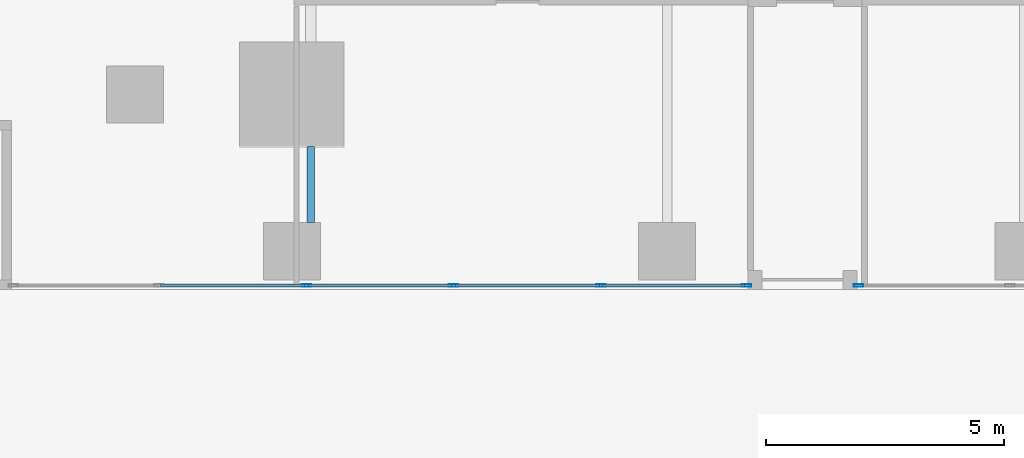
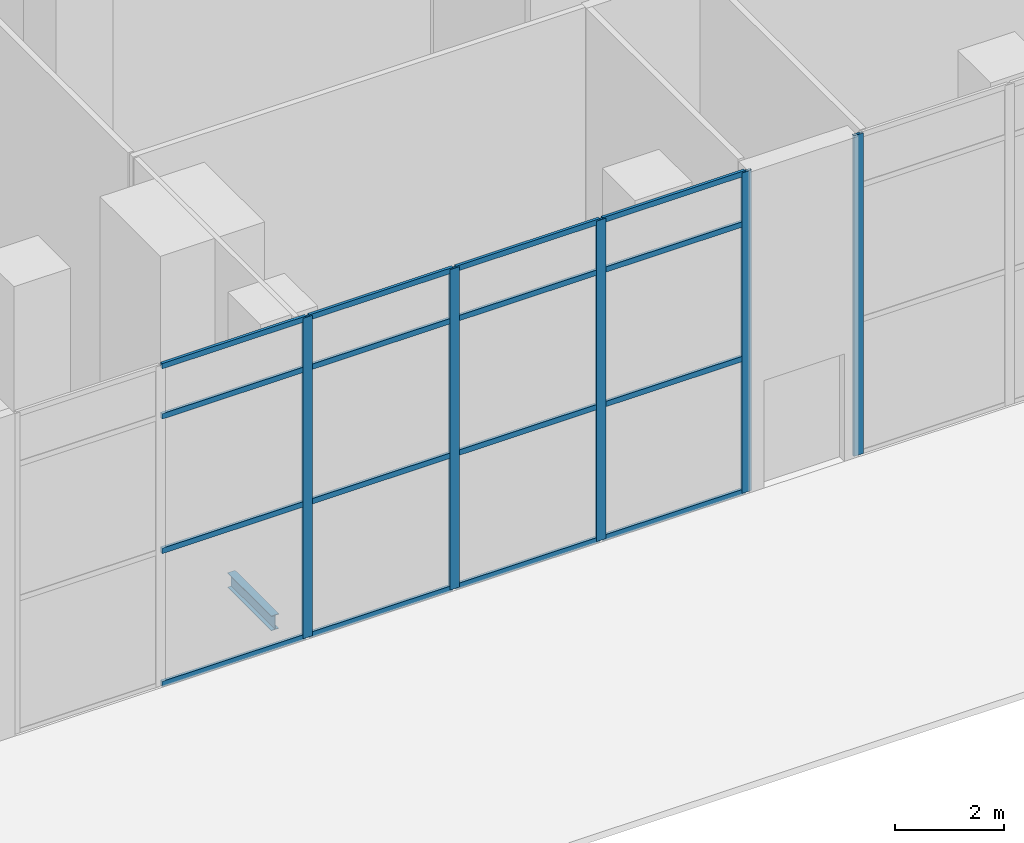
# One storey, part 5 of 52: 21 members, 1 beam, 2 elements without a shape of their own.
"""IFC4 building model written with IfcOpenShell, lengths in metres."""

from ifc_helpers import new_model, si_unit, direction, frame, origin, origin_2d, place, context, subcontext, project, spatial, hollow_rectangle, i_section, extrude, source, transform, mapped, material, material_profile, profile_set, type_object, element, aggregate, save


model = new_model("IFC4")

# Units and contexts
model_context = context("Model", 3, precision=1e-05, world=origin(), true_north=direction((0.0, 1.0)))
body_context = subcontext(model_context, "Body", "Model", "MODEL_VIEW")
ifc_project = project(units=[si_unit("LENGTHUNIT", "METRE"), si_unit("AREAUNIT", "SQUARE_METRE"), si_unit("VOLUMEUNIT", "CUBIC_METRE"), si_unit("PLANEANGLEUNIT", "RADIAN"), si_unit("MASSUNIT", "GRAM", prefix="KILO")], contexts=[model_context])

# Site, building, storey
site_placement = place(None, origin())
site = spatial("IfcSite", under=ifc_project, at=site_placement, CompositionType="ELEMENT")
building_placement = place(site_placement, origin())
building = spatial("IfcBuilding", under=site, at=building_placement, Name="Khomas Fold Tower", CompositionType="ELEMENT")
storey_placement = place(building_placement, origin())
storey = spatial("IfcBuildingStorey", under=building, at=storey_placement, Name="L00", CompositionType="ELEMENT", Elevation=0.0)

# Beam
ifc_material_1 = material(Name="Steel S355", Category="steel")
ifc_material_profile_1 = material_profile(ifc_material_1, i_section(OverallWidth=0.159912109375, OverallDepth=0.330078125, WebThickness=0.007568359375, FlangeThickness=0.011474609375, at=origin_2d()), Name="IPE 330")
ifc_profile_set_1 = profile_set([ifc_material_profile_1], Name="Steel S355")
beam_type = type_object("IfcBeamType", Name="IPE 330 beam JB1", PredefinedType="BEAM", material=ifc_profile_set_1)
shared_shape_1 = source(origin(), body_context, "Body", "SweptSolid", [
    extrude(i_section(OverallWidth=0.159912109375, OverallDepth=0.330078125, WebThickness=0.007568359375, FlangeThickness=0.011474609375, at=origin_2d()), origin(), (0.0, 0.0, 1.0), 1.60009765625),
])
beam_placement = place(storey_placement, frame((4.5, 1.39990234375, -0.514892578125), z_axis=(0.0, 1.0, 0.0), x_axis=(-1.0, 0.0, 0.0)))
element("IfcBeam", 1, at=beam_placement, inside=storey, type_object=beam_type, Name="JB1", PredefinedType="BEAM", context=body_context, shape_type="MappedRepresentation", body=[
    mapped(shared_shape_1, transform((0.0, 0.0, 0.0))),
])

# Curtain wall, members
ifc_material_2 = material(Name="Aluminium framed double glazing", Category="aluminium")
curtain_wall_type = type_object("IfcCurtainWallType", Name="Shopfront glazing PD-CW", PredefinedType="NOTDEFINED", material=ifc_material_2)
curtain_wall_1_placement = place(storey_placement, origin())
curtain_wall_1 = element("IfcCurtainWall", 2, at=curtain_wall_1_placement, inside=storey, type_object=curtain_wall_type, Name="Podium shopfront run", PredefinedType="NOTDEFINED")
ifc_material_3 = material(Name="Aluminium", Category="aluminium")
ifc_material_profile_2 = material_profile(ifc_material_3, hollow_rectangle(XDim=0.06005859375, YDim=0.199951171875, WallThickness=0.00390625, at=origin_2d()), Name="Shopfront glazing mullion PD-CW-M")
ifc_profile_set_2 = profile_set([ifc_material_profile_2], Name="Aluminium")
member_type_1 = type_object("IfcMemberType", Name="Shopfront glazing mullion PD-CW-M", PredefinedType="MULLION", material=ifc_profile_set_2)
shared_shape_2 = source(origin(), body_context, "Body", "SweptSolid", [
    extrude(hollow_rectangle(XDim=0.06005859375, YDim=0.199951171875, WallThickness=0.00390625, at=origin_2d()), origin(), (0.0, 0.0, 1.0), 7.14990234375),
])
member_1_placement = place(storey_placement, frame((4.406005859375, 0.080078125, 0.0), z_axis=(0.0, 0.0, 1.0), x_axis=(0.0, 1.0, 0.0)))
member_1 = element("IfcMember", 3, at=member_1_placement, type_object=member_type_1, Name="PD-CW mullion 3", PredefinedType="MULLION", context=body_context, shape_type="MappedRepresentation", body=[
    mapped(shared_shape_2, transform((0.0, 0.0, 0.0))),
])
member_2_placement = place(storey_placement, frame((7.50390625, 0.080078125, 0.0), z_axis=(0.0, 0.0, 1.0), x_axis=(0.0, 1.0, 0.0)))
member_2 = element("IfcMember", 4, at=member_2_placement, type_object=member_type_1, Name="PD-CW mullion 4", PredefinedType="MULLION", context=body_context, shape_type="MappedRepresentation", body=[
    mapped(shared_shape_2, transform((0.0, 0.0, 0.0))),
])
member_3_placement = place(storey_placement, frame((10.60205078125, 0.080078125, 0.0), z_axis=(0.0, 0.0, 1.0), x_axis=(0.0, 1.0, 0.0)))
member_3 = element("IfcMember", 5, at=member_3_placement, type_object=member_type_1, Name="PD-CW mullion 5", PredefinedType="MULLION", context=body_context, shape_type="MappedRepresentation", body=[
    mapped(shared_shape_2, transform((0.0, 0.0, 0.0))),
])
member_4_placement = place(storey_placement, frame((13.669921875, 0.080078125, 0.0), z_axis=(0.0, 0.0, 1.0), x_axis=(0.0, 1.0, 0.0)))
member_4 = element("IfcMember", 6, at=member_4_placement, type_object=member_type_1, Name="PD-CW mullion 6", PredefinedType="MULLION", context=body_context, shape_type="MappedRepresentation", body=[
    mapped(shared_shape_2, transform((0.0, 0.0, 0.0))),
])

# Curtain wall, member
curtain_wall_2_placement = place(storey_placement, origin())
curtain_wall_2 = element("IfcCurtainWall", 7, at=curtain_wall_2_placement, inside=storey, type_object=curtain_wall_type, Name="Podium shopfront run", PredefinedType="NOTDEFINED")
member_5_placement = place(storey_placement, frame((16.030029296875, 0.080078125, 0.0), z_axis=(0.0, 0.0, 1.0), x_axis=(0.0, 1.0, 0.0)))
member_5 = element("IfcMember", 8, at=member_5_placement, type_object=member_type_1, Name="PD-CW mullion 1", PredefinedType="MULLION", context=body_context, shape_type="MappedRepresentation", body=[
    mapped(shared_shape_2, transform((0.0, 0.0, 0.0))),
])
aggregate(curtain_wall_2, [member_5])

# Member
ifc_material_4 = material(Name="Aluminium", Category="aluminium")
ifc_material_profile_3 = material_profile(ifc_material_4, hollow_rectangle(XDim=0.06005859375, YDim=0.1201171875, WallThickness=0.00390625, at=origin_2d()), Name="Shopfront glazing transom PD-CW-T")
ifc_profile_set_3 = profile_set([ifc_material_profile_3], Name="Aluminium")
member_type_2 = type_object("IfcMemberType", Name="Shopfront glazing transom PD-CW-T", PredefinedType="USERDEFINED", material=ifc_profile_set_3)
shared_shape_3 = source(origin(), body_context, "Body", "SweptSolid", [
    extrude(hollow_rectangle(XDim=0.06005859375, YDim=0.1201171875, WallThickness=0.00390625, at=origin_2d()), origin(), (0.0, 0.0, 1.0), 3.0380859375),
])
member_6_placement = place(storey_placement, frame((1.337890625, 0.080078125, 0.030029296875), z_axis=(1.0, 0.0, 0.0), x_axis=(0.0, 1.0, 0.0)))
member_6 = element("IfcMember", 9, at=member_6_placement, type_object=member_type_2, Name="PD-CW transom 2.1", ObjectType="TRANSOM", PredefinedType="USERDEFINED", context=body_context, shape_type="MappedRepresentation", body=[
    mapped(shared_shape_3, transform((0.0, 0.0, 0.0))),
])

member_7_placement = place(storey_placement, frame((1.337890625, 0.080078125, 3.0), z_axis=(1.0, 0.0, 0.0), x_axis=(0.0, 1.0, 0.0)))
member_7 = element("IfcMember", 10, at=member_7_placement, type_object=member_type_2, Name="PD-CW transom 2.2", ObjectType="TRANSOM", PredefinedType="USERDEFINED", context=body_context, shape_type="MappedRepresentation", body=[
    mapped(shared_shape_3, transform((0.0, 0.0, 0.0))),
])

member_8_placement = place(storey_placement, frame((1.337890625, 0.080078125, 6.0), z_axis=(1.0, 0.0, 0.0), x_axis=(0.0, 1.0, 0.0)))
member_8 = element("IfcMember", 11, at=member_8_placement, type_object=member_type_2, Name="PD-CW transom 2.3", ObjectType="TRANSOM", PredefinedType="USERDEFINED", context=body_context, shape_type="MappedRepresentation", body=[
    mapped(shared_shape_3, transform((0.0, 0.0, 0.0))),
])

member_9_placement = place(storey_placement, frame((1.337890625, 0.080078125, 7.1201171875), z_axis=(1.0, 0.0, 0.0), x_axis=(0.0, 1.0, 0.0)))
member_9 = element("IfcMember", 12, at=member_9_placement, type_object=member_type_2, Name="PD-CW transom 2.4", ObjectType="TRANSOM", PredefinedType="USERDEFINED", context=body_context, shape_type="MappedRepresentation", body=[
    mapped(shared_shape_3, transform((0.0, 0.0, 0.0))),
])

member_10_placement = place(storey_placement, frame((4.43603515625, 0.080078125, 0.030029296875), z_axis=(1.0, 0.0, 0.0), x_axis=(0.0, 1.0, 0.0)))
member_10 = element("IfcMember", 13, at=member_10_placement, type_object=member_type_2, Name="PD-CW transom 3.1", ObjectType="TRANSOM", PredefinedType="USERDEFINED", context=body_context, shape_type="MappedRepresentation", body=[
    mapped(shared_shape_3, transform((0.0, 0.0, 0.0))),
])

member_11_placement = place(storey_placement, frame((4.43603515625, 0.080078125, 3.0), z_axis=(1.0, 0.0, 0.0), x_axis=(0.0, 1.0, 0.0)))
member_11 = element("IfcMember", 14, at=member_11_placement, type_object=member_type_2, Name="PD-CW transom 3.2", ObjectType="TRANSOM", PredefinedType="USERDEFINED", context=body_context, shape_type="MappedRepresentation", body=[
    mapped(shared_shape_3, transform((0.0, 0.0, 0.0))),
])

member_12_placement = place(storey_placement, frame((4.43603515625, 0.080078125, 6.0), z_axis=(1.0, 0.0, 0.0), x_axis=(0.0, 1.0, 0.0)))
member_12 = element("IfcMember", 15, at=member_12_placement, type_object=member_type_2, Name="PD-CW transom 3.3", ObjectType="TRANSOM", PredefinedType="USERDEFINED", context=body_context, shape_type="MappedRepresentation", body=[
    mapped(shared_shape_3, transform((0.0, 0.0, 0.0))),
])

member_13_placement = place(storey_placement, frame((4.43603515625, 0.080078125, 7.1201171875), z_axis=(1.0, 0.0, 0.0), x_axis=(0.0, 1.0, 0.0)))
member_13 = element("IfcMember", 16, at=member_13_placement, type_object=member_type_2, Name="PD-CW transom 3.4", ObjectType="TRANSOM", PredefinedType="USERDEFINED", context=body_context, shape_type="MappedRepresentation", body=[
    mapped(shared_shape_3, transform((0.0, 0.0, 0.0))),
])

member_14_placement = place(storey_placement, frame((7.533935546875, 0.080078125, 0.030029296875), z_axis=(1.0, 0.0, 0.0), x_axis=(0.0, 1.0, 0.0)))
member_14 = element("IfcMember", 17, at=member_14_placement, type_object=member_type_2, Name="PD-CW transom 4.1", ObjectType="TRANSOM", PredefinedType="USERDEFINED", context=body_context, shape_type="MappedRepresentation", body=[
    mapped(shared_shape_3, transform((0.0, 0.0, 0.0))),
])

member_15_placement = place(storey_placement, frame((7.533935546875, 0.080078125, 3.0), z_axis=(1.0, 0.0, 0.0), x_axis=(0.0, 1.0, 0.0)))
member_15 = element("IfcMember", 18, at=member_15_placement, type_object=member_type_2, Name="PD-CW transom 4.2", ObjectType="TRANSOM", PredefinedType="USERDEFINED", context=body_context, shape_type="MappedRepresentation", body=[
    mapped(shared_shape_3, transform((0.0, 0.0, 0.0))),
])

member_16_placement = place(storey_placement, frame((7.533935546875, 0.080078125, 6.0), z_axis=(1.0, 0.0, 0.0), x_axis=(0.0, 1.0, 0.0)))
member_16 = element("IfcMember", 19, at=member_16_placement, type_object=member_type_2, Name="PD-CW transom 4.3", ObjectType="TRANSOM", PredefinedType="USERDEFINED", context=body_context, shape_type="MappedRepresentation", body=[
    mapped(shared_shape_3, transform((0.0, 0.0, 0.0))),
])

member_17_placement = place(storey_placement, frame((7.533935546875, 0.080078125, 7.1201171875), z_axis=(1.0, 0.0, 0.0), x_axis=(0.0, 1.0, 0.0)))
member_17 = element("IfcMember", 20, at=member_17_placement, type_object=member_type_2, Name="PD-CW transom 4.4", ObjectType="TRANSOM", PredefinedType="USERDEFINED", context=body_context, shape_type="MappedRepresentation", body=[
    mapped(shared_shape_3, transform((0.0, 0.0, 0.0))),
])

shared_shape_4 = source(origin(), body_context, "Body", "SweptSolid", [
    extrude(hollow_rectangle(XDim=0.06005859375, YDim=0.1201171875, WallThickness=0.00390625, at=origin_2d()), origin(), (0.0, 0.0, 1.0), 3.0078125),
])
member_18_placement = place(storey_placement, frame((10.632080078125, 0.080078125, 0.030029296875), z_axis=(1.0, 0.0, 0.0), x_axis=(0.0, 1.0, 0.0)))
member_18 = element("IfcMember", 21, at=member_18_placement, type_object=member_type_2, Name="PD-CW transom 5.1", ObjectType="TRANSOM", PredefinedType="USERDEFINED", context=body_context, shape_type="MappedRepresentation", body=[
    mapped(shared_shape_4, transform((0.0, 0.0, 0.0))),
])

member_19_placement = place(storey_placement, frame((10.632080078125, 0.080078125, 3.0), z_axis=(1.0, 0.0, 0.0), x_axis=(0.0, 1.0, 0.0)))
member_19 = element("IfcMember", 22, at=member_19_placement, type_object=member_type_2, Name="PD-CW transom 5.2", ObjectType="TRANSOM", PredefinedType="USERDEFINED", context=body_context, shape_type="MappedRepresentation", body=[
    mapped(shared_shape_4, transform((0.0, 0.0, 0.0))),
])

member_20_placement = place(storey_placement, frame((10.632080078125, 0.080078125, 6.0), z_axis=(1.0, 0.0, 0.0), x_axis=(0.0, 1.0, 0.0)))
member_20 = element("IfcMember", 23, at=member_20_placement, type_object=member_type_2, Name="PD-CW transom 5.3", ObjectType="TRANSOM", PredefinedType="USERDEFINED", context=body_context, shape_type="MappedRepresentation", body=[
    mapped(shared_shape_4, transform((0.0, 0.0, 0.0))),
])

member_21_placement = place(storey_placement, frame((10.632080078125, 0.080078125, 7.1201171875), z_axis=(1.0, 0.0, 0.0), x_axis=(0.0, 1.0, 0.0)))
member_21 = element("IfcMember", 24, at=member_21_placement, type_object=member_type_2, Name="PD-CW transom 5.4", ObjectType="TRANSOM", PredefinedType="USERDEFINED", context=body_context, shape_type="MappedRepresentation", body=[
    mapped(shared_shape_4, transform((0.0, 0.0, 0.0))),
])

aggregate(curtain_wall_1, [member_1, member_2, member_3, member_4, member_6, member_7, member_8, member_9, member_10, member_11, member_12, member_13, member_14, member_15, member_16, member_17, member_18, member_19, member_20, member_21])

save(model, "model.ifc")
